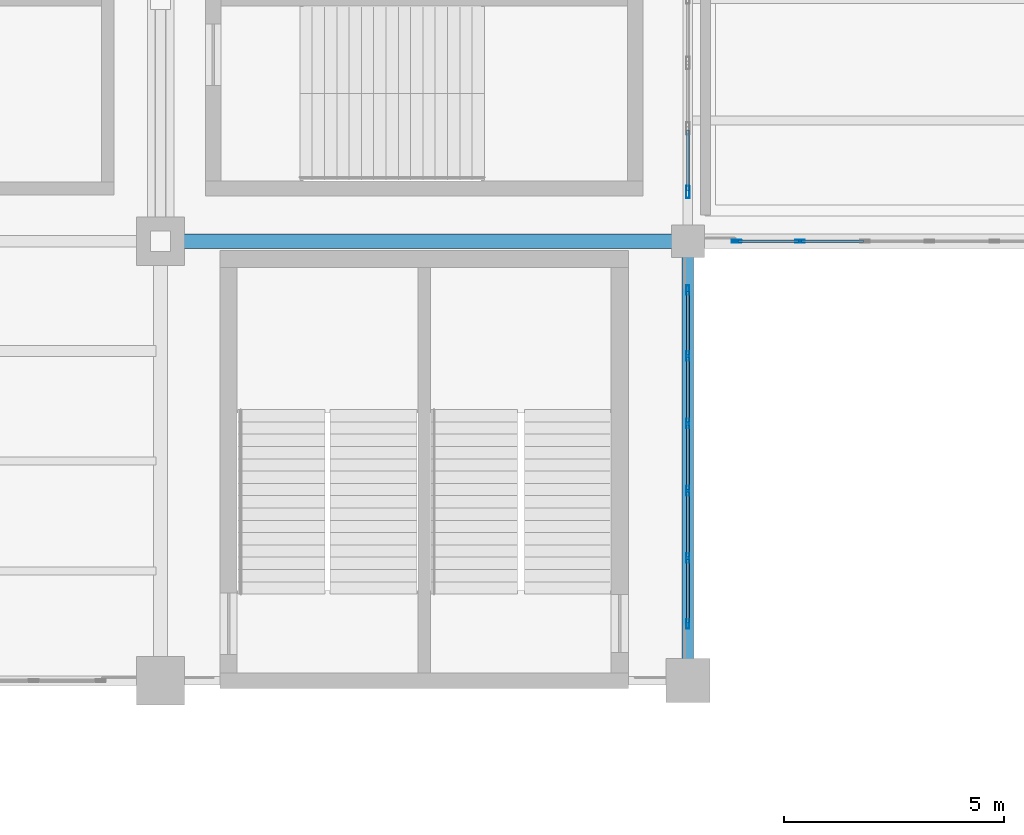
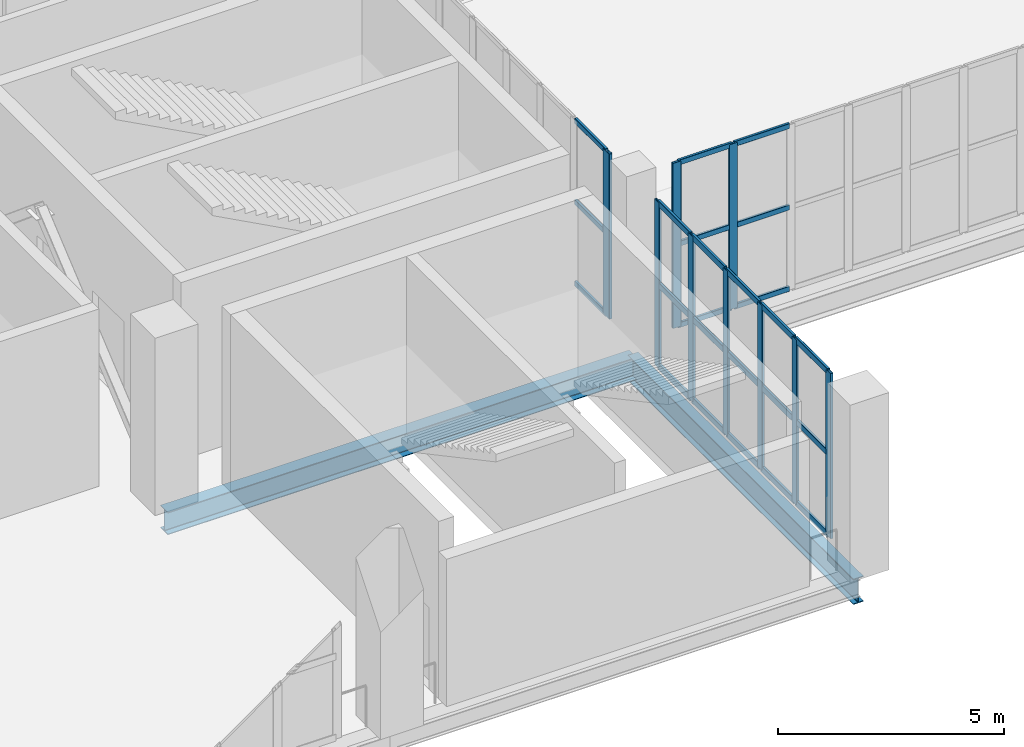
# One storey, part 60 of 136: 33 members, 2 beams, 3 elements without a shape of their own.
"""IFC4 building model written with IfcOpenShell, lengths in metres."""

from ifc_helpers import new_model, si_unit, direction, frame, origin, origin_2d, place, context, subcontext, project, spatial, hollow_rectangle, i_section, extrude, material, layer, layer_set, material_profile, profile_set, type_object, element, aggregate, save


model = new_model("IFC4")

# Units and contexts
model_context = context("Model", 3, precision=1e-05, world=origin(), true_north=direction((0.0, 1.0)))
body_context = subcontext(model_context, "Body", "Model", "MODEL_VIEW")
ifc_project = project(units=[si_unit("LENGTHUNIT", "METRE"), si_unit("AREAUNIT", "SQUARE_METRE"), si_unit("VOLUMEUNIT", "CUBIC_METRE"), si_unit("PLANEANGLEUNIT", "RADIAN"), si_unit("MASSUNIT", "GRAM", prefix="KILO")], contexts=[model_context])

# Site, building, storey
site_placement = place(None, origin())
site = spatial("IfcSite", under=ifc_project, at=site_placement, CompositionType="ELEMENT")
building_placement = place(site_placement, origin())
building = spatial("IfcBuilding", under=site, at=building_placement, Name="Brinegate Civic Arena", CompositionType="ELEMENT")
storey_placement = place(building_placement, frame((0.0, 0.0, 5.39990234375)))
storey = spatial("IfcBuildingStorey", under=building, at=storey_placement, Name="L01", CompositionType="ELEMENT", Elevation=5.39990234375)

# Curtain wall, members
ifc_material_1 = material(Name="Marine grade aluminium", Category="aluminium")
ifc_layer_1 = layer(ifc_material_1, 0.18505859375, Name="Marine grade aluminium")
ifc_layer_set_1 = layer_set([ifc_layer_1], Name="Marine grade aluminium")
curtain_wall_type_1 = type_object("IfcCurtainWallType", Name="CW-WING-GLAZED-03", PredefinedType="USERDEFINED", material=ifc_layer_set_1)
curtain_wall_1_placement = place(storey_placement, origin())
curtain_wall_1 = element("IfcCurtainWall", 1, at=curtain_wall_1_placement, inside=storey, type_object=curtain_wall_type_1, Name="Curtain Wall CWA-039", ObjectType="GLAZED CURTAIN WALL", PredefinedType="USERDEFINED")
ifc_material_profile_1 = material_profile(ifc_material_1, hollow_rectangle(XDim=0.06494140625, YDim=0.219970703125, WallThickness=0.006103515625, InnerFilletRadius=0.00390625, OuterFilletRadius=0.008056640625, at=origin_2d()), Name="MUL65X220")
ifc_profile_set_1 = profile_set([ifc_material_profile_1], Name="Marine grade aluminium")
member_type_1 = type_object("IfcMemberType", Name="CW-MULLION-65X220", PredefinedType="MULLION", material=ifc_profile_set_1)
member_1_placement = place(storey_placement, frame((169.112548828125, 20.0, 0.0), z_axis=(0.0, 0.0, 1.0), x_axis=(0.0, 1.0, 0.0)))
member_1 = element("IfcMember", 2, at=member_1_placement, type_object=member_type_1, Name="CWA-039 mullion 1", PredefinedType="MULLION", context=body_context, shape_type="SweptSolid", body=[
    extrude(hollow_rectangle(XDim=0.06494140625, YDim=0.219970703125, WallThickness=0.006103515625, InnerFilletRadius=0.00390625, OuterFilletRadius=0.008056640625, at=origin_2d()), origin(), (0.0, 0.0, 1.0), 4.47021484375),
])
member_2_placement = place(storey_placement, frame((170.55419921875, 20.0, 0.0), z_axis=(0.0, 0.0, 1.0), x_axis=(0.0, 1.0, 0.0)))
member_2 = element("IfcMember", 3, at=member_2_placement, type_object=member_type_1, Name="CWA-039 mullion 2", PredefinedType="MULLION", context=body_context, shape_type="SweptSolid", body=[
    extrude(hollow_rectangle(XDim=0.06494140625, YDim=0.219970703125, WallThickness=0.006103515625, InnerFilletRadius=0.00390625, OuterFilletRadius=0.008056640625, at=origin_2d()), origin(), (0.0, 0.0, 1.0), 4.47021484375),
])

ifc_layer_2 = layer(ifc_material_1, 0.199951171875, Name="Marine grade aluminium")
ifc_layer_set_2 = layer_set([ifc_layer_2], Name="Marine grade aluminium")
curtain_wall_type_2 = type_object("IfcCurtainWallType", Name="CW-BOWL-GLAZED-01", PredefinedType="USERDEFINED", material=ifc_layer_set_2)
curtain_wall_2_placement = place(storey_placement, origin())
curtain_wall_2 = element("IfcCurtainWall", 4, at=curtain_wall_2_placement, inside=storey, type_object=curtain_wall_type_2, Name="Curtain Wall CWA-043", ObjectType="GLAZED CURTAIN WALL", PredefinedType="USERDEFINED")
member_3_placement = place(storey_placement, frame((168.0, 11.28955078125, 0.0), z_axis=(0.0, 0.0, 1.0), x_axis=(-1.0, 0.0, 0.0)))
member_3 = element("IfcMember", 5, at=member_3_placement, type_object=member_type_1, Name="CWA-043 mullion 1", PredefinedType="MULLION", context=body_context, shape_type="SweptSolid", body=[
    extrude(hollow_rectangle(XDim=0.06494140625, YDim=0.219970703125, WallThickness=0.006103515625, InnerFilletRadius=0.00390625, OuterFilletRadius=0.008056640625, at=origin_2d()), origin(), (0.0, 0.0, 1.0), 4.47021484375),
])
member_4_placement = place(storey_placement, frame((168.0, 12.78955078125, 0.0), z_axis=(0.0, 0.0, 1.0), x_axis=(-1.0, 0.0, 0.0)))
member_4 = element("IfcMember", 6, at=member_4_placement, type_object=member_type_1, Name="CWA-043 mullion 2", PredefinedType="MULLION", context=body_context, shape_type="SweptSolid", body=[
    extrude(hollow_rectangle(XDim=0.06494140625, YDim=0.219970703125, WallThickness=0.006103515625, InnerFilletRadius=0.00390625, OuterFilletRadius=0.008056640625, at=origin_2d()), origin(), (0.0, 0.0, 1.0), 4.47021484375),
])
member_5_placement = place(storey_placement, frame((168.0, 14.322265625, 0.0), z_axis=(0.0, 0.0, 1.0), x_axis=(-1.0, 0.0, 0.0)))
member_5 = element("IfcMember", 7, at=member_5_placement, type_object=member_type_1, Name="CWA-043 mullion 3", PredefinedType="MULLION", context=body_context, shape_type="SweptSolid", body=[
    extrude(hollow_rectangle(XDim=0.06494140625, YDim=0.219970703125, WallThickness=0.006103515625, InnerFilletRadius=0.00390625, OuterFilletRadius=0.008056640625, at=origin_2d()), origin(), (0.0, 0.0, 1.0), 4.47021484375),
])
member_6_placement = place(storey_placement, frame((168.0, 15.854736328125, 0.0), z_axis=(0.0, 0.0, 1.0), x_axis=(-1.0, 0.0, 0.0)))
member_6 = element("IfcMember", 8, at=member_6_placement, type_object=member_type_1, Name="CWA-043 mullion 4", PredefinedType="MULLION", context=body_context, shape_type="SweptSolid", body=[
    extrude(hollow_rectangle(XDim=0.06494140625, YDim=0.219970703125, WallThickness=0.006103515625, InnerFilletRadius=0.00390625, OuterFilletRadius=0.008056640625, at=origin_2d()), origin(), (0.0, 0.0, 1.0), 4.47021484375),
])
member_7_placement = place(storey_placement, frame((168.0, 17.387451171875, 0.0), z_axis=(0.0, 0.0, 1.0), x_axis=(-1.0, 0.0, 0.0)))
member_7 = element("IfcMember", 9, at=member_7_placement, type_object=member_type_1, Name="CWA-043 mullion 5", PredefinedType="MULLION", context=body_context, shape_type="SweptSolid", body=[
    extrude(hollow_rectangle(XDim=0.06494140625, YDim=0.219970703125, WallThickness=0.006103515625, InnerFilletRadius=0.00390625, OuterFilletRadius=0.008056640625, at=origin_2d()), origin(), (0.0, 0.0, 1.0), 4.47021484375),
])
member_8_placement = place(storey_placement, frame((168.0, 18.887451171875, 0.0), z_axis=(0.0, 0.0, 1.0), x_axis=(-1.0, 0.0, 0.0)))
member_8 = element("IfcMember", 10, at=member_8_placement, type_object=member_type_1, Name="CWA-043 mullion 6", PredefinedType="MULLION", context=body_context, shape_type="SweptSolid", body=[
    extrude(hollow_rectangle(XDim=0.06494140625, YDim=0.219970703125, WallThickness=0.006103515625, InnerFilletRadius=0.00390625, OuterFilletRadius=0.008056640625, at=origin_2d()), origin(), (0.0, 0.0, 1.0), 4.47021484375),
])

# Curtain wall, member
curtain_wall_3_placement = place(storey_placement, origin())
curtain_wall_3 = element("IfcCurtainWall", 11, at=curtain_wall_3_placement, inside=storey, type_object=curtain_wall_type_2, Name="Curtain Wall CWA-045", ObjectType="GLAZED CURTAIN WALL", PredefinedType="USERDEFINED")
ifc_material_profile_2 = material_profile(ifc_material_1, hollow_rectangle(XDim=0.080078125, YDim=0.280029296875, WallThickness=0.007080078125, InnerFilletRadius=0.0048828125, OuterFilletRadius=0.010009765625, at=origin_2d()), Name="MUL80X280")
ifc_profile_set_2 = profile_set([ifc_material_profile_2], Name="Marine grade aluminium")
member_type_2 = type_object("IfcMemberType", Name="CW-MULLION-80X280", PredefinedType="MULLION", material=ifc_profile_set_2)
member_9_placement = place(storey_placement, frame((168.0, 21.1201171875, 0.0), z_axis=(0.0, 0.0, 1.0), x_axis=(-1.0, 0.0, 0.0)))
member_9 = element("IfcMember", 12, at=member_9_placement, type_object=member_type_2, Name="CWA-045 mullion 1", PredefinedType="MULLION", context=body_context, shape_type="SweptSolid", body=[
    extrude(hollow_rectangle(XDim=0.080078125, YDim=0.280029296875, WallThickness=0.007080078125, InnerFilletRadius=0.0048828125, OuterFilletRadius=0.010009765625, at=origin_2d()), origin(), (0.0, 0.0, 1.0), 4.47021484375),
])

# Member
ifc_material_profile_3 = material_profile(ifc_material_1, hollow_rectangle(XDim=0.06494140625, YDim=0.139892578125, WallThickness=0.0048828125, InnerFilletRadius=0.00390625, OuterFilletRadius=0.008056640625, at=origin_2d()), Name="TRN65X140")
ifc_profile_set_3 = profile_set([ifc_material_profile_3], Name="Marine grade aluminium")
member_type_3 = type_object("IfcMemberType", Name="CW-TRANSOM-65X140", PredefinedType="USERDEFINED", material=ifc_profile_set_3)
member_10_placement = place(storey_placement, frame((169.14501953125, 20.0, 0.03271484375), z_axis=(1.0, 0.0, 0.0), x_axis=(0.0, 1.0, 0.0)))
member_10 = element("IfcMember", 13, at=member_10_placement, type_object=member_type_3, Name="CWA-039 transom 1.1", ObjectType="TRANSOM", PredefinedType="USERDEFINED", context=body_context, shape_type="SweptSolid", body=[
    extrude(hollow_rectangle(XDim=0.06494140625, YDim=0.139892578125, WallThickness=0.0048828125, InnerFilletRadius=0.00390625, OuterFilletRadius=0.008056640625, at=origin_2d()), origin(), (0.0, 0.0, 1.0), 1.376708984375),
])

member_11_placement = place(storey_placement, frame((169.14501953125, 20.0, 2.235107421875), z_axis=(1.0, 0.0, 0.0), x_axis=(0.0, 1.0, 0.0)))
member_11 = element("IfcMember", 14, at=member_11_placement, type_object=member_type_3, Name="CWA-039 transom 1.2", ObjectType="TRANSOM", PredefinedType="USERDEFINED", context=body_context, shape_type="SweptSolid", body=[
    extrude(hollow_rectangle(XDim=0.06494140625, YDim=0.139892578125, WallThickness=0.0048828125, InnerFilletRadius=0.00390625, OuterFilletRadius=0.008056640625, at=origin_2d()), origin(), (0.0, 0.0, 1.0), 1.376708984375),
])

member_12_placement = place(storey_placement, frame((169.14501953125, 20.0, 4.4375), z_axis=(1.0, 0.0, 0.0), x_axis=(0.0, 1.0, 0.0)))
member_12 = element("IfcMember", 15, at=member_12_placement, type_object=member_type_3, Name="CWA-039 transom 1.3", ObjectType="TRANSOM", PredefinedType="USERDEFINED", context=body_context, shape_type="SweptSolid", body=[
    extrude(hollow_rectangle(XDim=0.06494140625, YDim=0.139892578125, WallThickness=0.0048828125, InnerFilletRadius=0.00390625, OuterFilletRadius=0.008056640625, at=origin_2d()), origin(), (0.0, 0.0, 1.0), 1.376708984375),
])

member_13_placement = place(storey_placement, frame((170.586669921875, 20.0, 0.03271484375), z_axis=(1.0, 0.0, 0.0), x_axis=(0.0, 1.0, 0.0)))
member_13 = element("IfcMember", 16, at=member_13_placement, type_object=member_type_3, Name="CWA-039 transom 2.1", ObjectType="TRANSOM", PredefinedType="USERDEFINED", context=body_context, shape_type="SweptSolid", body=[
    extrude(hollow_rectangle(XDim=0.06494140625, YDim=0.139892578125, WallThickness=0.0048828125, InnerFilletRadius=0.00390625, OuterFilletRadius=0.008056640625, at=origin_2d()), origin(), (0.0, 0.0, 1.0), 1.409423828125),
])

member_14_placement = place(storey_placement, frame((170.586669921875, 20.0, 2.235107421875), z_axis=(1.0, 0.0, 0.0), x_axis=(0.0, 1.0, 0.0)))
member_14 = element("IfcMember", 17, at=member_14_placement, type_object=member_type_3, Name="CWA-039 transom 2.2", ObjectType="TRANSOM", PredefinedType="USERDEFINED", context=body_context, shape_type="SweptSolid", body=[
    extrude(hollow_rectangle(XDim=0.06494140625, YDim=0.139892578125, WallThickness=0.0048828125, InnerFilletRadius=0.00390625, OuterFilletRadius=0.008056640625, at=origin_2d()), origin(), (0.0, 0.0, 1.0), 1.409423828125),
])

member_15_placement = place(storey_placement, frame((170.586669921875, 20.0, 4.4375), z_axis=(1.0, 0.0, 0.0), x_axis=(0.0, 1.0, 0.0)))
member_15 = element("IfcMember", 18, at=member_15_placement, type_object=member_type_3, Name="CWA-039 transom 2.3", ObjectType="TRANSOM", PredefinedType="USERDEFINED", context=body_context, shape_type="SweptSolid", body=[
    extrude(hollow_rectangle(XDim=0.06494140625, YDim=0.139892578125, WallThickness=0.0048828125, InnerFilletRadius=0.00390625, OuterFilletRadius=0.008056640625, at=origin_2d()), origin(), (0.0, 0.0, 1.0), 1.409423828125),
])

aggregate(curtain_wall_1, [member_1, member_2, member_10, member_11, member_12, member_13, member_14, member_15])

member_16_placement = place(storey_placement, frame((168.0, 21.159912109375, 0.03271484375), z_axis=(0.0, 1.0, 0.0), x_axis=(-1.0, 0.0, 0.0)))
member_16 = element("IfcMember", 19, at=member_16_placement, type_object=member_type_3, Name="CWA-045 transom 1.1", ObjectType="TRANSOM", PredefinedType="USERDEFINED", context=body_context, shape_type="SweptSolid", body=[
    extrude(hollow_rectangle(XDim=0.06494140625, YDim=0.139892578125, WallThickness=0.0048828125, InnerFilletRadius=0.00390625, OuterFilletRadius=0.008056640625, at=origin_2d()), origin(), (0.0, 0.0, 1.0), 1.369873046875),
])

member_17_placement = place(storey_placement, frame((168.0, 21.159912109375, 2.235107421875), z_axis=(0.0, 1.0, 0.0), x_axis=(-1.0, 0.0, 0.0)))
member_17 = element("IfcMember", 20, at=member_17_placement, type_object=member_type_3, Name="CWA-045 transom 1.2", ObjectType="TRANSOM", PredefinedType="USERDEFINED", context=body_context, shape_type="SweptSolid", body=[
    extrude(hollow_rectangle(XDim=0.06494140625, YDim=0.139892578125, WallThickness=0.0048828125, InnerFilletRadius=0.00390625, OuterFilletRadius=0.008056640625, at=origin_2d()), origin(), (0.0, 0.0, 1.0), 1.369873046875),
])

member_18_placement = place(storey_placement, frame((168.0, 21.159912109375, 4.4375), z_axis=(0.0, 1.0, 0.0), x_axis=(-1.0, 0.0, 0.0)))
member_18 = element("IfcMember", 21, at=member_18_placement, type_object=member_type_3, Name="CWA-045 transom 1.3", ObjectType="TRANSOM", PredefinedType="USERDEFINED", context=body_context, shape_type="SweptSolid", body=[
    extrude(hollow_rectangle(XDim=0.06494140625, YDim=0.139892578125, WallThickness=0.0048828125, InnerFilletRadius=0.00390625, OuterFilletRadius=0.008056640625, at=origin_2d()), origin(), (0.0, 0.0, 1.0), 1.369873046875),
])

aggregate(curtain_wall_3, [member_9, member_16, member_17, member_18])

ifc_material_profile_4 = material_profile(ifc_material_1, hollow_rectangle(XDim=0.06494140625, YDim=0.1650390625, WallThickness=0.0048828125, InnerFilletRadius=0.00390625, OuterFilletRadius=0.008056640625, at=origin_2d()), Name="TRN65X165")
ifc_profile_set_4 = profile_set([ifc_material_profile_4], Name="Marine grade aluminium")
member_type_4 = type_object("IfcMemberType", Name="CW-TRANSOM-65X165", PredefinedType="USERDEFINED", material=ifc_profile_set_4)
member_19_placement = place(storey_placement, frame((168.0, 11.322021484375, 0.03271484375), z_axis=(0.0, 1.0, 0.0), x_axis=(-1.0, 0.0, 0.0)))
member_19 = element("IfcMember", 22, at=member_19_placement, type_object=member_type_4, Name="CWA-043 transom 1.1", ObjectType="TRANSOM", PredefinedType="USERDEFINED", context=body_context, shape_type="SweptSolid", body=[
    extrude(hollow_rectangle(XDim=0.06494140625, YDim=0.1650390625, WallThickness=0.0048828125, InnerFilletRadius=0.00390625, OuterFilletRadius=0.008056640625, at=origin_2d()), origin(), (0.0, 0.0, 1.0), 1.43505859375),
])

member_20_placement = place(storey_placement, frame((168.0, 11.322021484375, 2.235107421875), z_axis=(0.0, 1.0, 0.0), x_axis=(-1.0, 0.0, 0.0)))
member_20 = element("IfcMember", 23, at=member_20_placement, type_object=member_type_4, Name="CWA-043 transom 1.2", ObjectType="TRANSOM", PredefinedType="USERDEFINED", context=body_context, shape_type="SweptSolid", body=[
    extrude(hollow_rectangle(XDim=0.06494140625, YDim=0.1650390625, WallThickness=0.0048828125, InnerFilletRadius=0.00390625, OuterFilletRadius=0.008056640625, at=origin_2d()), origin(), (0.0, 0.0, 1.0), 1.43505859375),
])

member_21_placement = place(storey_placement, frame((168.0, 11.322021484375, 4.4375), z_axis=(0.0, 1.0, 0.0), x_axis=(-1.0, 0.0, 0.0)))
member_21 = element("IfcMember", 24, at=member_21_placement, type_object=member_type_4, Name="CWA-043 transom 1.3", ObjectType="TRANSOM", PredefinedType="USERDEFINED", context=body_context, shape_type="SweptSolid", body=[
    extrude(hollow_rectangle(XDim=0.06494140625, YDim=0.1650390625, WallThickness=0.0048828125, InnerFilletRadius=0.00390625, OuterFilletRadius=0.008056640625, at=origin_2d()), origin(), (0.0, 0.0, 1.0), 1.43505859375),
])

member_22_placement = place(storey_placement, frame((168.0, 12.822021484375, 0.03271484375), z_axis=(0.0, 1.0, 0.0), x_axis=(-1.0, 0.0, 0.0)))
member_22 = element("IfcMember", 25, at=member_22_placement, type_object=member_type_4, Name="CWA-043 transom 2.1", ObjectType="TRANSOM", PredefinedType="USERDEFINED", context=body_context, shape_type="SweptSolid", body=[
    extrude(hollow_rectangle(XDim=0.06494140625, YDim=0.1650390625, WallThickness=0.0048828125, InnerFilletRadius=0.00390625, OuterFilletRadius=0.008056640625, at=origin_2d()), origin(), (0.0, 0.0, 1.0), 1.4677734375),
])

member_23_placement = place(storey_placement, frame((168.0, 12.822021484375, 2.235107421875), z_axis=(0.0, 1.0, 0.0), x_axis=(-1.0, 0.0, 0.0)))
member_23 = element("IfcMember", 26, at=member_23_placement, type_object=member_type_4, Name="CWA-043 transom 2.2", ObjectType="TRANSOM", PredefinedType="USERDEFINED", context=body_context, shape_type="SweptSolid", body=[
    extrude(hollow_rectangle(XDim=0.06494140625, YDim=0.1650390625, WallThickness=0.0048828125, InnerFilletRadius=0.00390625, OuterFilletRadius=0.008056640625, at=origin_2d()), origin(), (0.0, 0.0, 1.0), 1.4677734375),
])

member_24_placement = place(storey_placement, frame((168.0, 12.822021484375, 4.4375), z_axis=(0.0, 1.0, 0.0), x_axis=(-1.0, 0.0, 0.0)))
member_24 = element("IfcMember", 27, at=member_24_placement, type_object=member_type_4, Name="CWA-043 transom 2.3", ObjectType="TRANSOM", PredefinedType="USERDEFINED", context=body_context, shape_type="SweptSolid", body=[
    extrude(hollow_rectangle(XDim=0.06494140625, YDim=0.1650390625, WallThickness=0.0048828125, InnerFilletRadius=0.00390625, OuterFilletRadius=0.008056640625, at=origin_2d()), origin(), (0.0, 0.0, 1.0), 1.4677734375),
])

member_25_placement = place(storey_placement, frame((168.0, 14.354736328125, 0.03271484375), z_axis=(0.0, 1.0, 0.0), x_axis=(-1.0, 0.0, 0.0)))
member_25 = element("IfcMember", 28, at=member_25_placement, type_object=member_type_4, Name="CWA-043 transom 3.1", ObjectType="TRANSOM", PredefinedType="USERDEFINED", context=body_context, shape_type="SweptSolid", body=[
    extrude(hollow_rectangle(XDim=0.06494140625, YDim=0.1650390625, WallThickness=0.0048828125, InnerFilletRadius=0.00390625, OuterFilletRadius=0.008056640625, at=origin_2d()), origin(), (0.0, 0.0, 1.0), 1.467529296875),
])

member_26_placement = place(storey_placement, frame((168.0, 14.354736328125, 2.235107421875), z_axis=(0.0, 1.0, 0.0), x_axis=(-1.0, 0.0, 0.0)))
member_26 = element("IfcMember", 29, at=member_26_placement, type_object=member_type_4, Name="CWA-043 transom 3.2", ObjectType="TRANSOM", PredefinedType="USERDEFINED", context=body_context, shape_type="SweptSolid", body=[
    extrude(hollow_rectangle(XDim=0.06494140625, YDim=0.1650390625, WallThickness=0.0048828125, InnerFilletRadius=0.00390625, OuterFilletRadius=0.008056640625, at=origin_2d()), origin(), (0.0, 0.0, 1.0), 1.467529296875),
])

member_27_placement = place(storey_placement, frame((168.0, 14.354736328125, 4.4375), z_axis=(0.0, 1.0, 0.0), x_axis=(-1.0, 0.0, 0.0)))
member_27 = element("IfcMember", 30, at=member_27_placement, type_object=member_type_4, Name="CWA-043 transom 3.3", ObjectType="TRANSOM", PredefinedType="USERDEFINED", context=body_context, shape_type="SweptSolid", body=[
    extrude(hollow_rectangle(XDim=0.06494140625, YDim=0.1650390625, WallThickness=0.0048828125, InnerFilletRadius=0.00390625, OuterFilletRadius=0.008056640625, at=origin_2d()), origin(), (0.0, 0.0, 1.0), 1.467529296875),
])

member_28_placement = place(storey_placement, frame((168.0, 15.88720703125, 0.03271484375), z_axis=(0.0, 1.0, 0.0), x_axis=(-1.0, 0.0, 0.0)))
member_28 = element("IfcMember", 31, at=member_28_placement, type_object=member_type_4, Name="CWA-043 transom 4.1", ObjectType="TRANSOM", PredefinedType="USERDEFINED", context=body_context, shape_type="SweptSolid", body=[
    extrude(hollow_rectangle(XDim=0.06494140625, YDim=0.1650390625, WallThickness=0.0048828125, InnerFilletRadius=0.00390625, OuterFilletRadius=0.008056640625, at=origin_2d()), origin(), (0.0, 0.0, 1.0), 1.4677734375),
])

member_29_placement = place(storey_placement, frame((168.0, 15.88720703125, 2.235107421875), z_axis=(0.0, 1.0, 0.0), x_axis=(-1.0, 0.0, 0.0)))
member_29 = element("IfcMember", 32, at=member_29_placement, type_object=member_type_4, Name="CWA-043 transom 4.2", ObjectType="TRANSOM", PredefinedType="USERDEFINED", context=body_context, shape_type="SweptSolid", body=[
    extrude(hollow_rectangle(XDim=0.06494140625, YDim=0.1650390625, WallThickness=0.0048828125, InnerFilletRadius=0.00390625, OuterFilletRadius=0.008056640625, at=origin_2d()), origin(), (0.0, 0.0, 1.0), 1.4677734375),
])

member_30_placement = place(storey_placement, frame((168.0, 15.88720703125, 4.4375), z_axis=(0.0, 1.0, 0.0), x_axis=(-1.0, 0.0, 0.0)))
member_30 = element("IfcMember", 33, at=member_30_placement, type_object=member_type_4, Name="CWA-043 transom 4.3", ObjectType="TRANSOM", PredefinedType="USERDEFINED", context=body_context, shape_type="SweptSolid", body=[
    extrude(hollow_rectangle(XDim=0.06494140625, YDim=0.1650390625, WallThickness=0.0048828125, InnerFilletRadius=0.00390625, OuterFilletRadius=0.008056640625, at=origin_2d()), origin(), (0.0, 0.0, 1.0), 1.4677734375),
])

member_31_placement = place(storey_placement, frame((168.0, 17.419921875, 0.03271484375), z_axis=(0.0, 1.0, 0.0), x_axis=(-1.0, 0.0, 0.0)))
member_31 = element("IfcMember", 34, at=member_31_placement, type_object=member_type_4, Name="CWA-043 transom 5.1", ObjectType="TRANSOM", PredefinedType="USERDEFINED", context=body_context, shape_type="SweptSolid", body=[
    extrude(hollow_rectangle(XDim=0.06494140625, YDim=0.1650390625, WallThickness=0.0048828125, InnerFilletRadius=0.00390625, OuterFilletRadius=0.008056640625, at=origin_2d()), origin(), (0.0, 0.0, 1.0), 1.43505859375),
])

member_32_placement = place(storey_placement, frame((168.0, 17.419921875, 2.235107421875), z_axis=(0.0, 1.0, 0.0), x_axis=(-1.0, 0.0, 0.0)))
member_32 = element("IfcMember", 35, at=member_32_placement, type_object=member_type_4, Name="CWA-043 transom 5.2", ObjectType="TRANSOM", PredefinedType="USERDEFINED", context=body_context, shape_type="SweptSolid", body=[
    extrude(hollow_rectangle(XDim=0.06494140625, YDim=0.1650390625, WallThickness=0.0048828125, InnerFilletRadius=0.00390625, OuterFilletRadius=0.008056640625, at=origin_2d()), origin(), (0.0, 0.0, 1.0), 1.43505859375),
])

member_33_placement = place(storey_placement, frame((168.0, 17.419921875, 4.4375), z_axis=(0.0, 1.0, 0.0), x_axis=(-1.0, 0.0, 0.0)))
member_33 = element("IfcMember", 36, at=member_33_placement, type_object=member_type_4, Name="CWA-043 transom 5.3", ObjectType="TRANSOM", PredefinedType="USERDEFINED", context=body_context, shape_type="SweptSolid", body=[
    extrude(hollow_rectangle(XDim=0.06494140625, YDim=0.1650390625, WallThickness=0.0048828125, InnerFilletRadius=0.00390625, OuterFilletRadius=0.008056640625, at=origin_2d()), origin(), (0.0, 0.0, 1.0), 1.43505859375),
])

aggregate(curtain_wall_2, [member_3, member_4, member_5, member_6, member_7, member_8, member_19, member_20, member_21, member_22, member_23, member_24, member_25, member_26, member_27, member_28, member_29, member_30, member_31, member_32, member_33])

# Beams
ifc_material_2 = material(Name="Steel S355", Category="steel")
ifc_material_profile_5 = material_profile(ifc_material_2, i_section(OverallWidth=0.323974609375, OverallDepth=0.611083984375, WebThickness=0.012939453125, FlangeThickness=0.01904296875, FilletRadius=0.01611328125, at=origin_2d()), Name="W610X155")
ifc_profile_set_5 = profile_set([ifc_material_profile_5], Name="Steel S355")
beam_type_1 = type_object("IfcBeamType", Name="GIRDER-W610X155", PredefinedType="BEAM", material=ifc_profile_set_5)
beam_1_placement = place(storey_placement, frame((156.0, 20.0, -0.64501953125), z_axis=(1.0, 0.0, 0.0), x_axis=(0.0, 1.0, 0.0)))
element("IfcBeam", 37, at=beam_1_placement, inside=storey, type_object=beam_type_1, Name="Floor Girder BM-L01-GX-13-02", PredefinedType="BEAM", context=body_context, shape_type="SweptSolid", body=[
    extrude(i_section(OverallWidth=0.323974609375, OverallDepth=0.611083984375, WebThickness=0.012939453125, FlangeThickness=0.01904296875, FilletRadius=0.01611328125, at=origin_2d()), origin(), (0.0, 0.0, 1.0), 12.0),
])
ifc_material_profile_6 = material_profile(ifc_material_2, i_section(OverallWidth=0.256103515625, OverallDepth=0.693115234375, WebThickness=0.014892578125, FlangeThickness=0.02392578125, FilletRadius=0.01806640625, at=origin_2d()), Name="W690X170")
ifc_profile_set_6 = profile_set([ifc_material_profile_6], Name="Steel S355")
beam_type_2 = type_object("IfcBeamType", Name="SPANDREL-W690X170", PredefinedType="SPANDREL", material=ifc_profile_set_6)
beam_2_placement = place(storey_placement, frame((168.0, 10.0, -0.685791015625), z_axis=(0.0, 1.0, 0.0), x_axis=(-1.0, 0.0, 0.0)))
element("IfcBeam", 38, at=beam_2_placement, inside=storey, type_object=beam_type_2, Name="Floor Girder BM-L01-GY-14-01", PredefinedType="SPANDREL", context=body_context, shape_type="SweptSolid", body=[
    extrude(i_section(OverallWidth=0.256103515625, OverallDepth=0.693115234375, WebThickness=0.014892578125, FlangeThickness=0.02392578125, FilletRadius=0.01806640625, at=origin_2d()), origin(), (0.0, 0.0, 1.0), 10.0),
])

save(model, "model.ifc")
